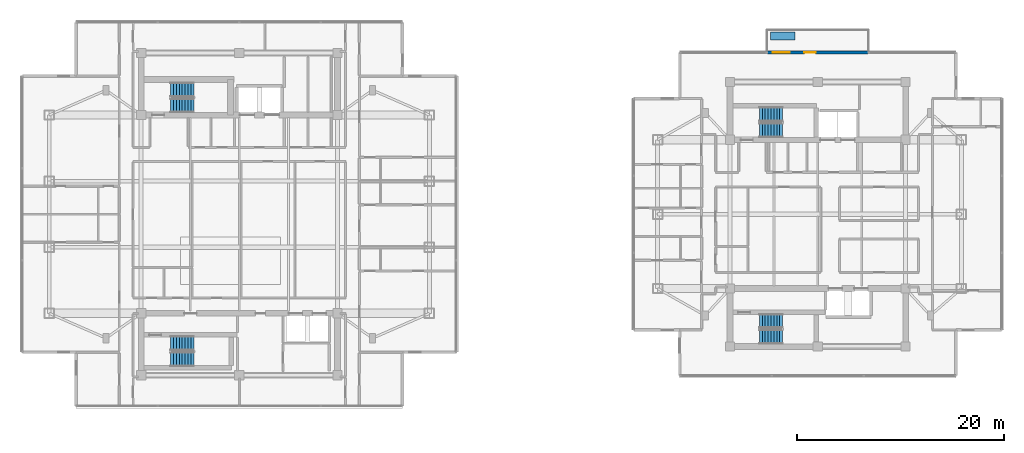
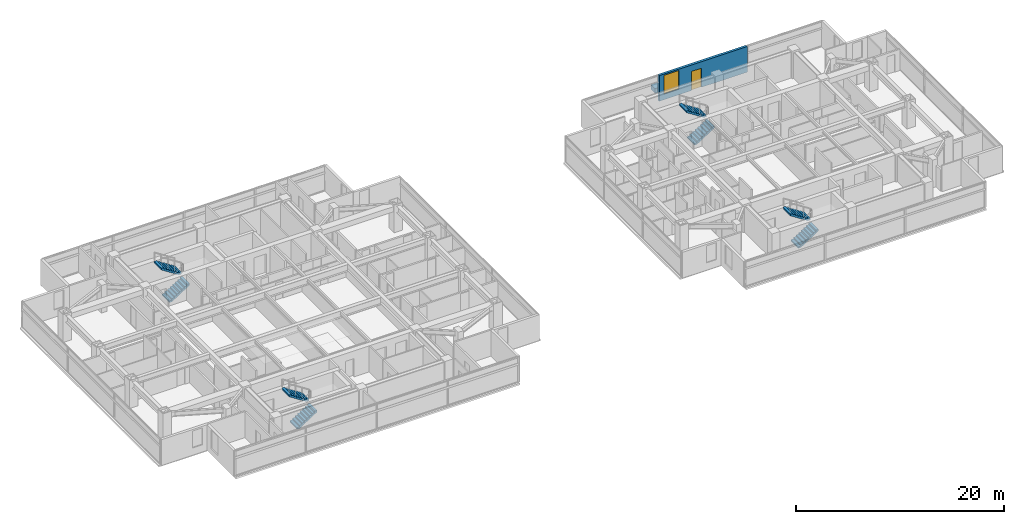
# One storey, part 19 of 26: 8 stair flights, 1 discrete accessory, 1 door, 1 wall, 1 window, 2 openings, 4 elements without a shape of their own.
"""IFC4 building model written with IfcOpenShell, lengths in metres."""

from ifc_helpers import new_model, si_unit, direction, frame, frame_2d, origin, origin_2d, place, context, subcontext, project, spatial, polyline, rectangle, outline, extrude, material, layer, layer_set, type_object, element, fill, aggregate, save


model = new_model("IFC4")

# Units and contexts
model_context = context("Model", 3, precision=1e-05, world=origin(), true_north=direction((0.0, 1.0)))
body_context = subcontext(model_context, "Body", "Model", "MODEL_VIEW")
ifc_project = project(units=[si_unit("LENGTHUNIT", "METRE"), si_unit("AREAUNIT", "SQUARE_METRE"), si_unit("VOLUMEUNIT", "CUBIC_METRE"), si_unit("PLANEANGLEUNIT", "RADIAN"), si_unit("MASSUNIT", "GRAM", prefix="KILO")], contexts=[model_context])

# Site, building, storey
site_placement = place(None, origin())
site = spatial("IfcSite", under=ifc_project, at=site_placement, CompositionType="ELEMENT")
building_placement = place(site_placement, origin())
building = spatial("IfcBuilding", under=site, at=building_placement, Name="Mirazonda Arch Towers", CompositionType="ELEMENT")
storey_placement = place(building_placement, frame((0.0, 0.0, 203.14990234375)))
storey = spatial("IfcBuildingStorey", under=building, at=storey_placement, Name="L58", CompositionType="ELEMENT", Elevation=203.14990234375)

# Wall, openings, door, window
ifc_material_1 = material(Name="Precast Concrete C40/50", Category="concrete")
ifc_layer = layer(ifc_material_1, 0.280029296875, Name="WALL-EXT-WALL-280")
ifc_layer_set = layer_set([ifc_layer], Name="Precast Concrete C40/50")
wall_type = type_object("IfcWallType", Name="WALL-EXT-WALL-280", PredefinedType="SOLIDWALL", material=ifc_layer_set)
wall_placement = place(storey_placement, frame((71.60009765625, 43.63818359375, 0.0), z_axis=(0.0, 0.0, 1.0), x_axis=(1.0, 0.0, 0.0)))
wall = element("IfcWall", 1, at=wall_placement, inside=storey, type_object=wall_type, Name="L58 T2 Sky-Terrace Threshold Wall WL-TERR-L58-T2", PredefinedType="SOLIDWALL", context=body_context, shape_type="SweptSolid", body=[
    extrude(rectangle(XDim=9.7998046875, YDim=0.280029296875, at=frame_2d((4.89990234375, 0.0))), origin(), (0.0, 0.0, 1.0), 3.010009765625),
])
opening_1_placement = place(wall_placement, frame((0.550048828125, 0.0, 0.659912109375)))
opening_1 = element("IfcOpeningElement", 2, at=opening_1_placement, cuts=wall, Name="Opening WN-115", PredefinedType="OPENING", context=body_context, shape_type="SweptSolid", body=[
    extrude(rectangle(XDim=1.64990234375, YDim=2.199951171875, at=frame_2d((0.824951171875, 1.10009765625))), frame((0.0, 0.14990234375, 0.0), z_axis=(0.0, -1.0, 0.0), x_axis=(1.0, 0.0, 0.0)), (0.0, 0.0, 1.0), 0.300048828125),
])
opening_2_placement = place(wall_placement, frame((3.60009765625, 0.0, 0.0)))
opening_2 = element("IfcOpeningElement", 3, at=opening_2_placement, cuts=wall, Name="Opening DR-114", PredefinedType="OPENING", context=body_context, shape_type="SweptSolid", body=[
    extrude(rectangle(XDim=1.10009765625, YDim=2.25, at=frame_2d((0.550048828125, 1.125))), frame((0.0, 0.14990234375, 0.0), z_axis=(0.0, -1.0, 0.0), x_axis=(1.0, 0.0, 0.0)), (0.0, 0.0, 1.0), 0.300048828125),
])
ifc_material_2 = material(Name="Architectural Hardwood Timber", Category="wood")
door_type = type_object("IfcDoorType", Name="DOOR-TERR-EXT-1100", OperationType="NOTDEFINED", PredefinedType="DOOR", material=ifc_material_2)
door_placement = place(opening_2_placement, origin())
door = element("IfcDoor", 4, at=door_placement, inside=storey, type_object=door_type, Name="L58 Exterior Door DR-TERR-L58-T2", OperationType="SINGLE_SWING_LEFT", OverallHeight=2.25, OverallWidth=1.10009765625, PredefinedType="DOOR", context=body_context, shape_type="SweptSolid", body=[
    extrude(rectangle(XDim=1.10009765625, YDim=2.25, at=frame_2d((0.550048828125, 1.125))), frame((0.0, 0.02490234375, 0.0), z_axis=(0.0, -1.0, 0.0), x_axis=(1.0, 0.0, 0.0)), (0.0, 0.0, 1.0), 0.050048828125),
])
fill(opening_2, door)
ifc_material_3 = material(Name="Insulated Low-E Solar Glass", Category="glass")
window_type = type_object("IfcWindowType", Name="WIN-RES-1650x2200", PartitioningType="SINGLE_PANEL", PredefinedType="WINDOW", material=ifc_material_3)
window_placement = place(opening_1_placement, origin())
window = element("IfcWindow", 5, at=window_placement, inside=storey, type_object=window_type, Name="L58 Punched Facade Window WN-TERR-L58-T2", OverallHeight=2.199951171875, OverallWidth=1.64990234375, PartitioningType="SINGLE_PANEL", PredefinedType="WINDOW", context=body_context, shape_type="SweptSolid", body=[
    extrude(rectangle(XDim=1.64990234375, YDim=2.199951171875, at=frame_2d((0.824951171875, 1.10009765625))), frame((0.0, 0.030029296875, 0.0), z_axis=(0.0, -1.0, 0.0), x_axis=(1.0, 0.0, 0.0)), (0.0, 0.0, 1.0), 0.06005859375),
])
fill(opening_1, window)

# Stair, stair flights
ifc_material_4 = material(Name="Concrete C40/50", Category="concrete")
stair_type = type_object("IfcStairType", Name="STAIR-CORE-1400", PredefinedType="HALF_TURN_STAIR", material=ifc_material_4)
stair_1_placement = place(storey_placement, origin())
stair_1 = element("IfcStair", 6, at=stair_1_placement, inside=storey, type_object=stair_type, Name="L58 Protected Exit Stair ST-T1N", PredefinedType="HALF_TURN_STAIR")
stair_flight_type = type_object("IfcStairFlightType", Name="FLIGHT-1400", PredefinedType="STRAIGHT", material=ifc_material_4)
stair_flight_1_placement = place(storey_placement, frame((13.85009765625, 38.52001953125, 0.0), z_axis=(0.0, 0.0, 1.0), x_axis=(1.0, 0.0, 0.0)))
stair_flight_1 = element("IfcStairFlight", 7, at=stair_flight_1_placement, type_object=stair_flight_type, Name="ST-T1N flight 1", NumberOfRisers=9, NumberOfTreads=8, PredefinedType="STRAIGHT", RiserHeight=0.180555556, TreadLength=0.28, context=body_context, shape_type="SweptSolid", body=[
    extrude(outline(polyline([(0.0, 0.0), (0.0, 0.1806640625), (0.280029296875, 0.1806640625), (0.280029296875, 0.361083984375), (0.56005859375, 0.361083984375), (0.56005859375, 0.541748046875), (0.840087890625, 0.541748046875), (0.840087890625, 0.72216796875), (1.1201171875, 0.72216796875), (1.1201171875, 0.90283203125), (1.39990234375, 0.90283203125), (1.39990234375, 1.083251953125), (1.679931640625, 1.083251953125), (1.679931640625, 1.263916015625), (1.9599609375, 1.263916015625), (1.9599609375, 1.4443359375), (2.239990234375, 1.4443359375), (2.239990234375, 1.625), (2.239990234375, 1.254150390625), (0.295166015625, 0.0), (0.0, 0.0)])), frame((0.0, 0.699951171875, 0.0), z_axis=(0.0, -1.0, 0.0), x_axis=(1.0, 0.0, 0.0)), (0.0, 0.0, 1.0), 1.39990234375),
])
stair_flight_2_placement = place(storey_placement, frame((16.090087890625, 40.06005859375, 1.625), z_axis=(0.0, 0.0, 1.0), x_axis=(-1.0, 0.0, 0.0)))
stair_flight_2 = element("IfcStairFlight", 8, at=stair_flight_2_placement, type_object=stair_flight_type, Name="ST-T1N flight 2", NumberOfRisers=9, NumberOfTreads=8, PredefinedType="STRAIGHT", RiserHeight=0.180555556, TreadLength=0.28, context=body_context, shape_type="SweptSolid", body=[
    extrude(outline(polyline([(0.0, 0.0), (0.0, 0.1806640625), (0.280029296875, 0.1806640625), (0.280029296875, 0.361083984375), (0.56005859375, 0.361083984375), (0.56005859375, 0.541748046875), (0.840087890625, 0.541748046875), (0.840087890625, 0.72216796875), (1.1201171875, 0.72216796875), (1.1201171875, 0.90283203125), (1.39990234375, 0.90283203125), (1.39990234375, 1.083251953125), (1.679931640625, 1.083251953125), (1.679931640625, 1.263916015625), (1.9599609375, 1.263916015625), (1.9599609375, 1.4443359375), (2.239990234375, 1.4443359375), (2.239990234375, 1.625), (2.239990234375, 1.254150390625), (0.295166015625, 0.0), (0.0, 0.0)])), frame((0.0, 0.699951171875, 0.0), z_axis=(0.0, -1.0, 0.0), x_axis=(1.0, 0.0, 0.0)), (0.0, 0.0, 1.0), 1.39990234375),
])
aggregate(stair_1, [stair_flight_1, stair_flight_2])

stair_2_placement = place(storey_placement, origin())
stair_2 = element("IfcStair", 9, at=stair_2_placement, inside=storey, type_object=stair_type, Name="L58 Protected Exit Stair ST-T1S", PredefinedType="HALF_TURN_STAIR")
stair_flight_3_placement = place(storey_placement, frame((13.85009765625, 13.949951171875, 0.0), z_axis=(0.0, 0.0, 1.0), x_axis=(1.0, 0.0, 0.0)))
stair_flight_3 = element("IfcStairFlight", 10, at=stair_flight_3_placement, type_object=stair_flight_type, Name="ST-T1S flight 1", NumberOfRisers=9, NumberOfTreads=8, PredefinedType="STRAIGHT", RiserHeight=0.180555556, TreadLength=0.28, context=body_context, shape_type="SweptSolid", body=[
    extrude(outline(polyline([(0.0, 0.0), (0.0, 0.1806640625), (0.280029296875, 0.1806640625), (0.280029296875, 0.361083984375), (0.56005859375, 0.361083984375), (0.56005859375, 0.541748046875), (0.840087890625, 0.541748046875), (0.840087890625, 0.72216796875), (1.1201171875, 0.72216796875), (1.1201171875, 0.90283203125), (1.39990234375, 0.90283203125), (1.39990234375, 1.083251953125), (1.679931640625, 1.083251953125), (1.679931640625, 1.263916015625), (1.9599609375, 1.263916015625), (1.9599609375, 1.4443359375), (2.239990234375, 1.4443359375), (2.239990234375, 1.625), (2.239990234375, 1.254150390625), (0.295166015625, 0.0), (0.0, 0.0)])), frame((0.0, 0.699951171875, 0.0), z_axis=(0.0, -1.0, 0.0), x_axis=(1.0, 0.0, 0.0)), (0.0, 0.0, 1.0), 1.39990234375),
])
stair_flight_4_placement = place(storey_placement, frame((16.090087890625, 15.489990234375, 1.625), z_axis=(0.0, 0.0, 1.0), x_axis=(-1.0, 0.0, 0.0)))
stair_flight_4 = element("IfcStairFlight", 11, at=stair_flight_4_placement, type_object=stair_flight_type, Name="ST-T1S flight 2", NumberOfRisers=9, NumberOfTreads=8, PredefinedType="STRAIGHT", RiserHeight=0.180555556, TreadLength=0.28, context=body_context, shape_type="SweptSolid", body=[
    extrude(outline(polyline([(0.0, 0.0), (0.0, 0.1806640625), (0.280029296875, 0.1806640625), (0.280029296875, 0.361083984375), (0.56005859375, 0.361083984375), (0.56005859375, 0.541748046875), (0.840087890625, 0.541748046875), (0.840087890625, 0.72216796875), (1.1201171875, 0.72216796875), (1.1201171875, 0.90283203125), (1.39990234375, 0.90283203125), (1.39990234375, 1.083251953125), (1.679931640625, 1.083251953125), (1.679931640625, 1.263916015625), (1.9599609375, 1.263916015625), (1.9599609375, 1.4443359375), (2.239990234375, 1.4443359375), (2.239990234375, 1.625), (2.239990234375, 1.254150390625), (0.295166015625, 0.0), (0.0, 0.0)])), frame((0.0, 0.699951171875, 0.0), z_axis=(0.0, -1.0, 0.0), x_axis=(1.0, 0.0, 0.0)), (0.0, 0.0, 1.0), 1.39990234375),
])
aggregate(stair_2, [stair_flight_3, stair_flight_4])

stair_3_placement = place(storey_placement, origin())
stair_3 = element("IfcStair", 12, at=stair_3_placement, inside=storey, type_object=stair_type, Name="L58 Protected Exit Stair ST-T2N", PredefinedType="HALF_TURN_STAIR")
stair_flight_5_placement = place(storey_placement, frame((70.85009765625, 36.1201171875, 0.0), z_axis=(0.0, 0.0, 1.0), x_axis=(1.0, 0.0, 0.0)))
stair_flight_5 = element("IfcStairFlight", 13, at=stair_flight_5_placement, type_object=stair_flight_type, Name="ST-T2N flight 1", NumberOfRisers=9, NumberOfTreads=8, PredefinedType="STRAIGHT", RiserHeight=0.180555556, TreadLength=0.28, context=body_context, shape_type="SweptSolid", body=[
    extrude(outline(polyline([(0.0, 0.0), (0.0, 0.1806640625), (0.280029296875, 0.1806640625), (0.280029296875, 0.361083984375), (0.56005859375, 0.361083984375), (0.56005859375, 0.541748046875), (0.840087890625, 0.541748046875), (0.840087890625, 0.72216796875), (1.1201171875, 0.72216796875), (1.1201171875, 0.90283203125), (1.39990234375, 0.90283203125), (1.39990234375, 1.083251953125), (1.679931640625, 1.083251953125), (1.679931640625, 1.263916015625), (1.9599609375, 1.263916015625), (1.9599609375, 1.4443359375), (2.239990234375, 1.4443359375), (2.239990234375, 1.625), (2.239990234375, 1.254150390625), (0.295166015625, 0.0), (0.0, 0.0)])), frame((0.0, 0.699951171875, 0.0), z_axis=(0.0, -1.0, 0.0), x_axis=(1.0, 0.0, 0.0)), (0.0, 0.0, 1.0), 1.39990234375),
])
stair_flight_6_placement = place(storey_placement, frame((73.090087890625, 37.659912109375, 1.625), z_axis=(0.0, 0.0, 1.0), x_axis=(-1.0, 0.0, 0.0)))
stair_flight_6 = element("IfcStairFlight", 14, at=stair_flight_6_placement, type_object=stair_flight_type, Name="ST-T2N flight 2", NumberOfRisers=9, NumberOfTreads=8, PredefinedType="STRAIGHT", RiserHeight=0.180555556, TreadLength=0.28, context=body_context, shape_type="SweptSolid", body=[
    extrude(outline(polyline([(0.0, 0.0), (0.0, 0.1806640625), (0.280029296875, 0.1806640625), (0.280029296875, 0.361083984375), (0.56005859375, 0.361083984375), (0.56005859375, 0.541748046875), (0.840087890625, 0.541748046875), (0.840087890625, 0.72216796875), (1.1201171875, 0.72216796875), (1.1201171875, 0.90283203125), (1.39990234375, 0.90283203125), (1.39990234375, 1.083251953125), (1.679931640625, 1.083251953125), (1.679931640625, 1.263916015625), (1.9599609375, 1.263916015625), (1.9599609375, 1.4443359375), (2.239990234375, 1.4443359375), (2.239990234375, 1.625), (2.239990234375, 1.254150390625), (0.295166015625, 0.0), (0.0, 0.0)])), frame((0.0, 0.699951171875, 0.0), z_axis=(0.0, -1.0, 0.0), x_axis=(1.0, 0.0, 0.0)), (0.0, 0.0, 1.0), 1.39990234375),
])
aggregate(stair_3, [stair_flight_5, stair_flight_6])

stair_4_placement = place(storey_placement, origin())
stair_4 = element("IfcStair", 15, at=stair_4_placement, inside=storey, type_object=stair_type, Name="L58 Protected Exit Stair ST-T2S", PredefinedType="HALF_TURN_STAIR")
stair_flight_7_placement = place(storey_placement, frame((70.85009765625, 16.1201171875, 0.0), z_axis=(0.0, 0.0, 1.0), x_axis=(1.0, 0.0, 0.0)))
stair_flight_7 = element("IfcStairFlight", 16, at=stair_flight_7_placement, type_object=stair_flight_type, Name="ST-T2S flight 1", NumberOfRisers=9, NumberOfTreads=8, PredefinedType="STRAIGHT", RiserHeight=0.180555556, TreadLength=0.28, context=body_context, shape_type="SweptSolid", body=[
    extrude(outline(polyline([(0.0, 0.0), (0.0, 0.1806640625), (0.280029296875, 0.1806640625), (0.280029296875, 0.361083984375), (0.56005859375, 0.361083984375), (0.56005859375, 0.541748046875), (0.840087890625, 0.541748046875), (0.840087890625, 0.72216796875), (1.1201171875, 0.72216796875), (1.1201171875, 0.90283203125), (1.39990234375, 0.90283203125), (1.39990234375, 1.083251953125), (1.679931640625, 1.083251953125), (1.679931640625, 1.263916015625), (1.9599609375, 1.263916015625), (1.9599609375, 1.4443359375), (2.239990234375, 1.4443359375), (2.239990234375, 1.625), (2.239990234375, 1.254150390625), (0.295166015625, 0.0), (0.0, 0.0)])), frame((0.0, 0.699951171875, 0.0), z_axis=(0.0, -1.0, 0.0), x_axis=(1.0, 0.0, 0.0)), (0.0, 0.0, 1.0), 1.39990234375),
])
stair_flight_8_placement = place(storey_placement, frame((73.090087890625, 17.659912109375, 1.625), z_axis=(0.0, 0.0, 1.0), x_axis=(-1.0, 0.0, 0.0)))
stair_flight_8 = element("IfcStairFlight", 17, at=stair_flight_8_placement, type_object=stair_flight_type, Name="ST-T2S flight 2", NumberOfRisers=9, NumberOfTreads=8, PredefinedType="STRAIGHT", RiserHeight=0.180555556, TreadLength=0.28, context=body_context, shape_type="SweptSolid", body=[
    extrude(outline(polyline([(0.0, 0.0), (0.0, 0.1806640625), (0.280029296875, 0.1806640625), (0.280029296875, 0.361083984375), (0.56005859375, 0.361083984375), (0.56005859375, 0.541748046875), (0.840087890625, 0.541748046875), (0.840087890625, 0.72216796875), (1.1201171875, 0.72216796875), (1.1201171875, 0.90283203125), (1.39990234375, 0.90283203125), (1.39990234375, 1.083251953125), (1.679931640625, 1.083251953125), (1.679931640625, 1.263916015625), (1.9599609375, 1.263916015625), (1.9599609375, 1.4443359375), (2.239990234375, 1.4443359375), (2.239990234375, 1.625), (2.239990234375, 1.254150390625), (0.295166015625, 0.0), (0.0, 0.0)])), frame((0.0, 0.699951171875, 0.0), z_axis=(0.0, -1.0, 0.0), x_axis=(1.0, 0.0, 0.0)), (0.0, 0.0, 1.0), 1.39990234375),
])
aggregate(stair_4, [stair_flight_7, stair_flight_8])

# Discrete accessory
ifc_material_5 = material(Name="Kiln-Fired Architectural Terracotta", Category="masonry")
discrete_accessory_type = type_object("IfcDiscreteAccessoryType", Name="PLANTER-TERRA", PredefinedType="USERDEFINED", material=ifc_material_5)
discrete_accessory_placement = place(storey_placement, frame((73.10009765625, 45.25830078125, 0.0), z_axis=(0.0, 0.0, 1.0), x_axis=(1.0, 0.0, 0.0)))
element("IfcDiscreteAccessory", 18, at=discrete_accessory_placement, inside=storey, type_object=discrete_accessory_type, Name="L58 T2 Sky-Terrace Planter", ObjectType="PLANTER", PredefinedType="USERDEFINED", context=body_context, shape_type="SweptSolid", body=[
    extrude(rectangle(XDim=2.39990234375, YDim=0.800048828125, at=origin_2d()), origin(), (0.0, 0.0, 1.0), 0.550048828125),
])

save(model, "model.ifc")
